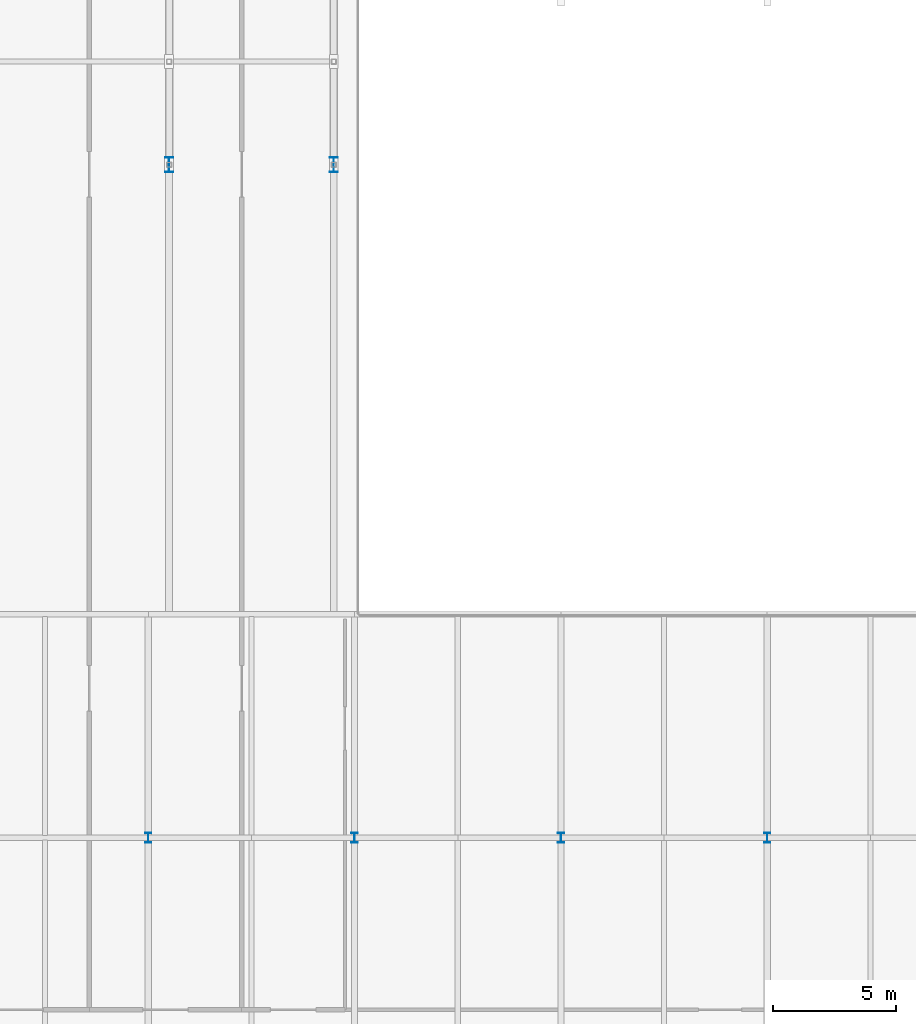
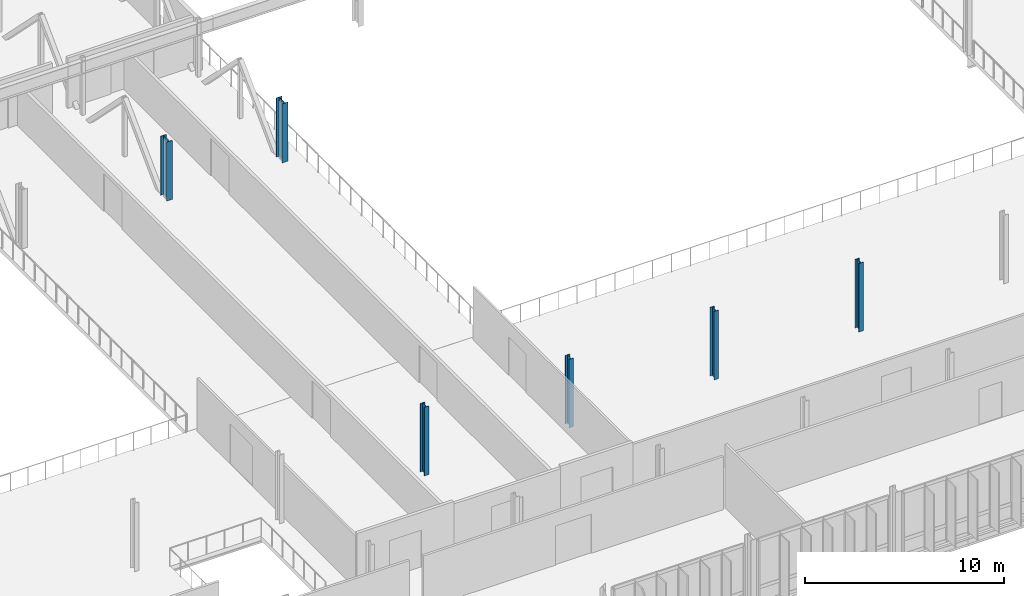
# One storey, part 8 of 107: 6 columns.
"""IFC4 building model written with IfcOpenShell, lengths in metres."""

from ifc_helpers import new_model, si_unit, derived_unit, direction, frame, origin, origin_2d, place, context, subcontext, project, spatial, i_section, extrude, material, material_profile, profile_set, type_object, element, save


model = new_model("IFC4")

# Units and contexts
model_context = context("Model", 3, precision=1e-05, world=origin(), true_north=direction((0.0, 1.0)))
body_context = subcontext(model_context, "Body", "Model", "MODEL_VIEW")
ifc_project = project(units=[si_unit("LENGTHUNIT", "METRE"), si_unit("AREAUNIT", "SQUARE_METRE"), si_unit("VOLUMEUNIT", "CUBIC_METRE"), si_unit("PLANEANGLEUNIT", "RADIAN"), si_unit("MASSUNIT", "GRAM", prefix="KILO"), derived_unit("THERMALTRANSMITTANCEUNIT", [(si_unit("MASSUNIT", "GRAM", prefix="KILO"), 1), (si_unit("TIMEUNIT", "SECOND"), -3), (si_unit("THERMODYNAMICTEMPERATUREUNIT", "KELVIN"), -1)])], contexts=[model_context])

# Site, building, storey
site_placement = place(None, origin())
site = spatial("IfcSite", under=ifc_project, at=site_placement, CompositionType="ELEMENT")
building_placement = place(site_placement, origin())
building = spatial("IfcBuilding", under=site, at=building_placement, Name="Makaiwela Harbour Ferry Terminal", CompositionType="ELEMENT")
storey_placement = place(building_placement, frame((0.0, 0.0, 9.60009765625)))
storey = spatial("IfcBuildingStorey", under=building, at=storey_placement, Name="L02", CompositionType="ELEMENT", Elevation=9.60009765625)

# Columns
ifc_material = material(Name="Steel ASTM A992 Grade 50", Category="steel")
ifc_material_profile_1 = material_profile(ifc_material, i_section(OverallWidth=0.260986328125, OverallDepth=0.4189453125, WebThickness=0.01171875, FlangeThickness=0.019287109375, at=origin_2d()), Name="W16X77")
ifc_profile_set_1 = profile_set([ifc_material_profile_1], Name="Steel ASTM A992 Grade 50")
column_type_1 = type_object("IfcColumnType", Name="STR-COL-W16X77", PredefinedType="COLUMN", material=ifc_profile_set_1)
for number, where, z_axis, x_axis, name in (
    (1, (96.60009765625, 67.60009765625, 0.0), (0.0, 0.0, 1.0), (1.0, 0.0, 0.0), "Structural Column C-04"),
    (2, (105.0, 67.60009765625, 0.0), (0.0, 0.0, 1.0), (1.0, 0.0, 0.0), "Structural Column C-04"),
    (3, (113.39990234375, 67.60009765625, 0.0), (0.0, 0.0, 1.0), (1.0, 0.0, 0.0), "Structural Column C-04"),
    (4, (121.800048828125, 67.60009765625, 0.0), (0.0, 0.0, 1.0), (1.0, 0.0, 0.0), "Structural Column C-04"),
):
    element("IfcColumn", number, at=place(storey_placement, frame(where, z_axis=z_axis, x_axis=x_axis)), inside=storey, type_object=column_type_1, Name=name, PredefinedType="COLUMN", context=body_context, shape_type="SweptSolid", body=[
        extrude(i_section(OverallWidth=0.260986328125, OverallDepth=0.4189453125, WebThickness=0.01171875, FlangeThickness=0.019287109375, at=origin_2d()), origin(), (0.0, 0.0, 1.0), 4.199951171875),
    ])
ifc_material_profile_2 = material_profile(ifc_material, i_section(OverallWidth=0.324951171875, OverallDepth=0.615966796875, WebThickness=0.013916015625, FlangeThickness=0.021484375, at=origin_2d()), Name="W24X117")
ifc_profile_set_2 = profile_set([ifc_material_profile_2], Name="Steel ASTM A992 Grade 50")
column_type_2 = type_object("IfcColumnType", Name="STR-COL-W24X117", PredefinedType="COLUMN", material=ifc_profile_set_2)
for number, where, z_axis, x_axis, name in (
    (5, (97.449951171875, 95.0, 0.0), (0.0, 0.0, 1.0), (1.0, 0.0, 0.0), "Structural Column C-02"),
    (6, (104.14990234375, 95.0, 0.0), (0.0, 0.0, 1.0), (1.0, 0.0, 0.0), "Structural Column C-02"),
):
    element("IfcColumn", number, at=place(storey_placement, frame(where, z_axis=z_axis, x_axis=x_axis)), inside=storey, type_object=column_type_2, Name=name, PredefinedType="COLUMN", context=body_context, shape_type="SweptSolid", body=[
        extrude(i_section(OverallWidth=0.324951171875, OverallDepth=0.615966796875, WebThickness=0.013916015625, FlangeThickness=0.021484375, at=origin_2d()), origin(), (0.0, 0.0, 1.0), 3.619873046875),
    ])

save(model, "model.ifc")
